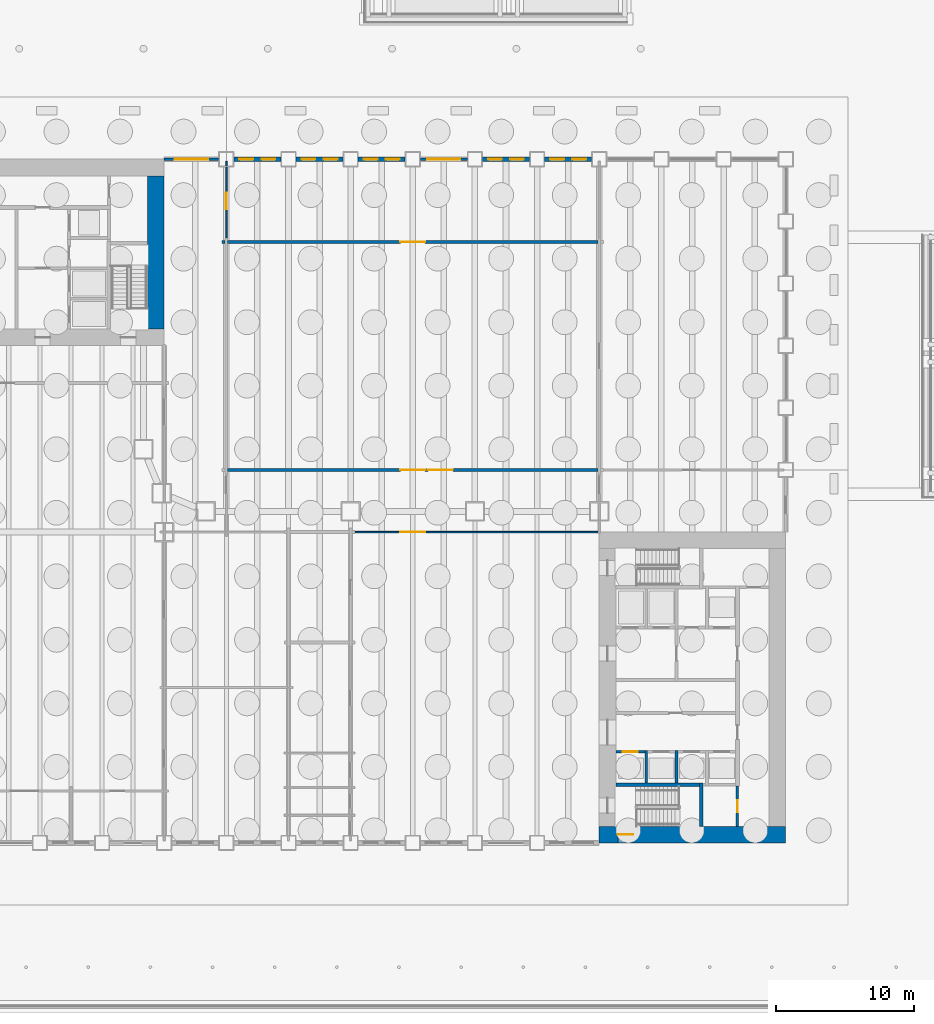
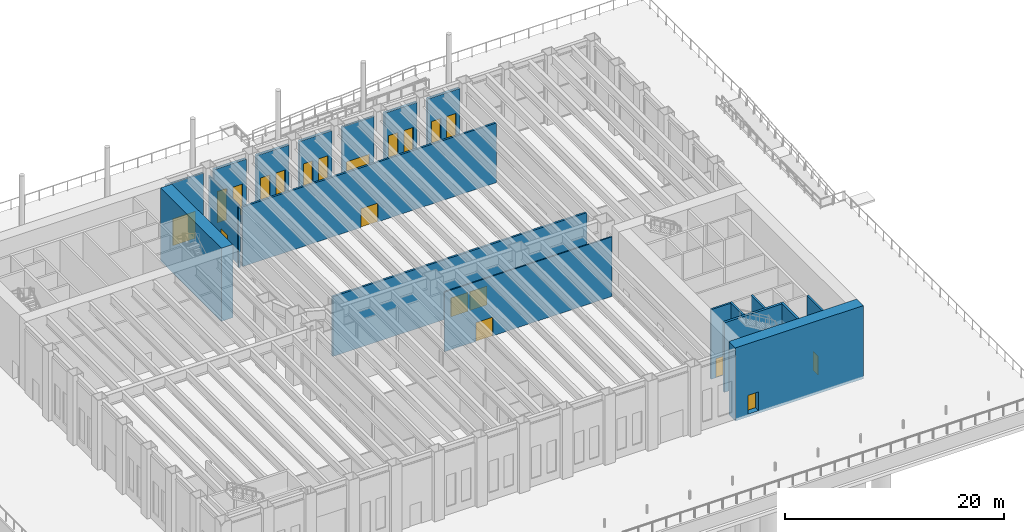
# One storey, part 12 of 26: 20 walls, 10 doors, 10 windows, 20 openings.
"""IFC4 building model written with IfcOpenShell, lengths in metres."""

from ifc_helpers import new_model, si_unit, direction, frame, frame_2d, origin, place, context, subcontext, project, spatial, rectangle, extrude, material, layer, layer_set, type_object, element, fill, save


model = new_model("IFC4")

# Units and contexts
model_context = context("Model", 3, precision=1e-05, world=origin(), true_north=direction((0.0, 1.0)))
body_context = subcontext(model_context, "Body", "Model", "MODEL_VIEW")
ifc_project = project(units=[si_unit("LENGTHUNIT", "METRE"), si_unit("AREAUNIT", "SQUARE_METRE"), si_unit("VOLUMEUNIT", "CUBIC_METRE"), si_unit("PLANEANGLEUNIT", "RADIAN"), si_unit("MASSUNIT", "GRAM", prefix="KILO")], contexts=[model_context])

# Site, building, storey
site_placement = place(None, origin())
site = spatial("IfcSite", under=ifc_project, at=site_placement, CompositionType="ELEMENT")
building_placement = place(site_placement, origin())
building = spatial("IfcBuilding", under=site, at=building_placement, Name="Sennacour Bend Tower", CompositionType="ELEMENT")
storey_placement = place(building_placement, origin())
storey = spatial("IfcBuildingStorey", under=building, at=storey_placement, Name="L00", CompositionType="ELEMENT", Elevation=0.0)

# Wall, opening, door
ifc_material_1 = material(Name="Bronze anodised aluminium panel", Category="aluminium")
ifc_layer_1 = layer(ifc_material_1, 0.030029296875, Name="Bronze anodised aluminium panel", Category="aluminium")
ifc_material_2 = material(Name="Precast concrete C40/50", Category="concrete")
ifc_layer_2 = layer(ifc_material_2, 0.169921875, Name="Precast concrete C40/50", Category="concrete")
ifc_layer_set_1 = layer_set([ifc_layer_1, ifc_layer_2], Name="Precast concrete C40/50 with bronze aluminium panel")
wall_type_1 = type_object("IfcWallType", Name="ALUMINIUM-CLAD INFILL WALL 200", PredefinedType="STANDARD", material=ifc_layer_set_1)
wall_1_placement = place(storey_placement, frame((41.050048828125, 49.5, 0.0), z_axis=(0.0, 0.0, 1.0), x_axis=(1.0, 0.0, 0.0)))
wall_1 = element("IfcWall", 1, at=wall_1_placement, inside=storey, type_object=wall_type_1, Name="Infill wall L00 01.05", PredefinedType="STANDARD", context=body_context, shape_type="SweptSolid", body=[
    extrude(rectangle(XDim=3.39990234375, YDim=0.199951171875, at=frame_2d((1.699951171875, 0.0))), origin(), (0.0, 0.0, 1.0), 7.035888671875),
])
opening_1_placement = place(wall_1_placement, frame((0.5, 0.0, 0.0)))
opening_1 = element("IfcOpeningElement", 2, at=opening_1_placement, cuts=wall_1, Name="Opening ED1", PredefinedType="OPENING", context=body_context, shape_type="SweptSolid", body=[
    extrude(rectangle(XDim=2.39990234375, YDim=3.0, at=frame_2d((1.199951171875, 1.5))), frame((0.0, 0.10986328125, 0.0), z_axis=(0.0, -1.0, 0.0), x_axis=(1.0, 0.0, 0.0)), (0.0, 0.0, 1.0), 0.219970703125),
])
ifc_material_3 = material(Name="Aluminium framed glazed door", Category="aluminium")
door_type_1 = type_object("IfcDoorType", Name="DR-ENTRANCE-2400x3000", OperationType="DOUBLE_DOOR_SINGLE_SWING", PredefinedType="DOOR", material=ifc_material_3)
door_1_placement = place(opening_1_placement, origin())
door_1 = element("IfcDoor", 3, at=door_1_placement, inside=storey, type_object=door_type_1, Name="Exterior door L00 01.05", OperationType="DOUBLE_DOOR_SINGLE_SWING", OverallHeight=3.0, OverallWidth=2.39990234375, PredefinedType="DOOR", context=body_context, shape_type="SweptSolid", body=[
    extrude(rectangle(XDim=2.39990234375, YDim=3.0, at=frame_2d((1.199951171875, 1.5))), frame((0.0, 0.02490234375, 0.0), z_axis=(0.0, -1.0, 0.0), x_axis=(1.0, 0.0, 0.0)), (0.0, 0.0, 1.0), 0.050048828125),
])
fill(opening_1, door_1)

wall_2_placement = place(storey_placement, frame((22.5009765625, 49.5, 0.0), z_axis=(0.0, 0.0, 1.0), x_axis=(1.0, 0.0, 0.0)))
wall_2 = element("IfcWall", 4, at=wall_2_placement, inside=storey, type_object=wall_type_1, Name="Infill wall L00 01.09", PredefinedType="STANDARD", context=body_context, shape_type="SweptSolid", body=[
    extrude(rectangle(XDim=3.948974609375, YDim=0.199951171875, at=frame_2d((1.974609375, 0.0))), origin(), (0.0, 0.0, 1.0), 7.035888671875),
])
opening_2_placement = place(wall_2_placement, frame((0.7744140625, 0.0, 0.0)))
opening_2 = element("IfcOpeningElement", 5, at=opening_2_placement, cuts=wall_2, Name="Opening ED1", PredefinedType="OPENING", context=body_context, shape_type="SweptSolid", body=[
    extrude(rectangle(XDim=2.39990234375, YDim=3.0, at=frame_2d((1.199951171875, 1.5))), frame((0.0, 0.10986328125, 0.0), z_axis=(0.0, -1.0, 0.0), x_axis=(1.0, 0.0, 0.0)), (0.0, 0.0, 1.0), 0.219970703125),
])
door_2_placement = place(opening_2_placement, origin())
door_2 = element("IfcDoor", 6, at=door_2_placement, inside=storey, type_object=door_type_1, Name="Exterior door L00 01.09", OperationType="DOUBLE_DOOR_SINGLE_SWING", OverallHeight=3.0, OverallWidth=2.39990234375, PredefinedType="DOOR", context=body_context, shape_type="SweptSolid", body=[
    extrude(rectangle(XDim=2.39990234375, YDim=3.0, at=frame_2d((1.199951171875, 1.5))), frame((0.0, 0.02490234375, 0.0), z_axis=(0.0, -1.0, 0.0), x_axis=(1.0, 0.0, 0.0)), (0.0, 0.0, 1.0), 0.050048828125),
])
fill(opening_2, door_2)

ifc_material_4 = material(Name="Concrete C80/95", Category="concrete")
ifc_layer_3 = layer(ifc_material_4, 1.199951171875, Name="Concrete C80/95", Category="concrete")
ifc_layer_set_2 = layer_set([ifc_layer_3], Name="Concrete C80/95")
wall_type_2 = type_object("IfcWallType", Name="Core wall 1200 C80/95", PredefinedType="SHEAR", material=ifc_layer_set_2)
wall_3_placement = place(storey_placement, frame((67.5, 0.60009765625, -0.300048828125), z_axis=(0.0, 0.0, 1.0), x_axis=(-1.0, 0.0, 0.0)))
wall_3 = element("IfcWall", 7, at=wall_3_placement, inside=storey, type_object=wall_type_2, Name="Core A wall L00 S", PredefinedType="SHEAR", context=body_context, shape_type="SweptSolid", body=[
    extrude(rectangle(XDim=13.5, YDim=1.199951171875, at=frame_2d((6.75, 0.0))), origin(), (0.0, 0.0, 1.0), 8.150146484375),
])
opening_3_placement = place(wall_3_placement, frame((11.050048828125, 0.0, 0.300048828125)))
opening_3 = element("IfcOpeningElement", 8, at=opening_3_placement, cuts=wall_3, Name="Opening XD", PredefinedType="OPENING", context=body_context, shape_type="SweptSolid", body=[
    extrude(rectangle(XDim=1.10009765625, YDim=2.10009765625, at=frame_2d((0.550048828125, 1.050048828125))), frame((0.0, 0.60986328125, 0.0), z_axis=(0.0, -1.0, 0.0), x_axis=(1.0, 0.0, 0.0)), (0.0, 0.0, 1.0), 1.219970703125),
])
ifc_material_5 = material(Name="Painted steel", Category="steel")
door_type_2 = type_object("IfcDoorType", Name="DR-DISCHARGE-1100", OperationType="NOTDEFINED", PredefinedType="DOOR", material=ifc_material_5)
door_3_placement = place(opening_3_placement, origin())
door_3 = element("IfcDoor", 9, at=door_3_placement, inside=storey, type_object=door_type_2, Name="Door", OperationType="SINGLE_SWING_RIGHT", OverallHeight=2.10009765625, OverallWidth=1.10009765625, PredefinedType="DOOR", context=body_context, shape_type="SweptSolid", body=[
    extrude(rectangle(XDim=1.10009765625, YDim=2.10009765625, at=frame_2d((0.550048828125, 1.050048828125))), frame((0.0, 0.02490234375, 0.0), z_axis=(0.0, -1.0, 0.0), x_axis=(1.0, 0.0, 0.0)), (0.0, 0.0, 1.0), 0.050048828125),
])
fill(opening_3, door_3)

# Wall
wall_4_placement = place(storey_placement, frame((21.89990234375, 37.199951171875, -0.300048828125), z_axis=(0.0, 0.0, 1.0), x_axis=(0.0, 1.0, 0.0)))
element("IfcWall", 10, at=wall_4_placement, inside=storey, type_object=wall_type_2, Name="Core B wall L00 E", PredefinedType="SHEAR", context=body_context, shape_type="SweptSolid", body=[
    extrude(rectangle(XDim=11.10009765625, YDim=1.199951171875, at=frame_2d((5.550048828125, 0.0))), origin(), (0.0, 0.0, 1.0), 8.150146484375),
])

# Wall, opening, door
ifc_material_6 = material(Name="Plasterboard partition on steel studs", Category="steel")
ifc_layer_4 = layer(ifc_material_6, 0.1201171875, Name="Plasterboard partition on steel studs", Category="steel")
ifc_layer_set_3 = layer_set([ifc_layer_4], Name="Plasterboard partition on steel studs")
wall_type_3 = type_object("IfcWallType", Name="Partition 120 EI 60", PredefinedType="PARTITIONING", material=ifc_layer_set_3)
wall_5_placement = place(storey_placement, frame((27.0, 43.800048828125, 0.0), z_axis=(0.0, 0.0, 1.0), x_axis=(0.0, 1.0, 0.0)))
wall_5 = element("IfcWall", 11, at=wall_5_placement, inside=storey, type_object=wall_type_3, Name="P-L00-W026a", PredefinedType="PARTITIONING", context=body_context, shape_type="SweptSolid", body=[
    extrude(rectangle(XDim=5.550048828125, YDim=0.1201171875, at=frame_2d((2.77490234375, 0.0))), origin(), (0.0, 0.0, 1.0), 6.66015625),
])
opening_4_placement = place(wall_5_placement, frame((2.06494140625, 0.0, 0.0)))
opening_4 = element("IfcOpeningElement", 12, at=opening_4_placement, cuts=wall_5, Name="Opening CD3", PredefinedType="OPENING", context=body_context, shape_type="SweptSolid", body=[
    extrude(rectangle(XDim=1.199951171875, YDim=2.10009765625, at=frame_2d((0.60009765625, 1.050048828125))), frame((0.0, 0.070068359375, 0.0), z_axis=(0.0, -1.0, 0.0), x_axis=(1.0, 0.0, 0.0)), (0.0, 0.0, 1.0), 0.14013671875),
])
door_type_3 = type_object("IfcDoorType", Name="DR-LOBBY-1200", OperationType="NOTDEFINED", PredefinedType="DOOR", material=ifc_material_5)
door_4_placement = place(opening_4_placement, origin())
door_4 = element("IfcDoor", 13, at=door_4_placement, inside=storey, type_object=door_type_3, Name="Door", OperationType="SINGLE_SWING_LEFT", OverallHeight=2.10009765625, OverallWidth=1.199951171875, PredefinedType="DOOR", context=body_context, shape_type="SweptSolid", body=[
    extrude(rectangle(XDim=1.199951171875, YDim=2.10009765625, at=frame_2d((0.60009765625, 1.050048828125))), frame((0.0, 0.02490234375, 0.0), z_axis=(0.0, -1.0, 0.0), x_axis=(1.0, 0.0, 0.0)), (0.0, 0.0, 1.0), 0.050048828125),
])
fill(opening_4, door_4)

wall_6_placement = place(storey_placement, frame((36.300048828125, 22.5, 0.0), z_axis=(0.0, 0.0, 1.0), x_axis=(1.0, 0.0, 0.0)))
wall_6 = element("IfcWall", 14, at=wall_6_placement, inside=storey, type_object=wall_type_3, Name="P-L00-W071aa", PredefinedType="PARTITIONING", context=body_context, shape_type="SweptSolid", body=[
    extrude(rectangle(XDim=17.639892578125, YDim=0.1201171875, at=frame_2d((8.81982421875, 0.0))), origin(), (0.0, 0.0, 1.0), 6.66015625),
])
opening_5_placement = place(wall_6_placement, frame((3.300048828125, 0.0, 0.0)))
opening_5 = element("IfcOpeningElement", 15, at=opening_5_placement, cuts=wall_6, Name="Opening CD", PredefinedType="OPENING", context=body_context, shape_type="SweptSolid", body=[
    extrude(rectangle(XDim=1.800048828125, YDim=2.10009765625, at=frame_2d((0.89990234375, 1.050048828125))), frame((0.0, 0.070068359375, 0.0), z_axis=(0.0, -1.0, 0.0), x_axis=(1.0, 0.0, 0.0)), (0.0, 0.0, 1.0), 0.14013671875),
])
door_type_4 = type_object("IfcDoorType", Name="DR-LOBBY-1800", OperationType="NOTDEFINED", PredefinedType="DOOR", material=ifc_material_5)
door_5_placement = place(opening_5_placement, origin())
door_5 = element("IfcDoor", 16, at=door_5_placement, inside=storey, type_object=door_type_4, Name="Door", OperationType="DOUBLE_DOOR_SINGLE_SWING", OverallHeight=2.10009765625, OverallWidth=1.800048828125, PredefinedType="DOOR", context=body_context, shape_type="SweptSolid", body=[
    extrude(rectangle(XDim=1.800048828125, YDim=2.10009765625, at=frame_2d((0.89990234375, 1.050048828125))), frame((0.0, 0.02490234375, 0.0), z_axis=(0.0, -1.0, 0.0), x_axis=(1.0, 0.0, 0.0)), (0.0, 0.0, 1.0), 0.050048828125),
])
fill(opening_5, door_5)

ifc_material_7 = material(Name="Fire-rated plasterboard partition on steel studs", Category="steel")
ifc_layer_5 = layer(ifc_material_7, 0.199951171875, Name="Fire-rated plasterboard partition on steel studs", Category="steel")
ifc_layer_set_4 = layer_set([ifc_layer_5], Name="Fire-rated plasterboard partition on steel studs")
wall_type_4 = type_object("IfcWallType", Name="Rated partition 200", PredefinedType="PARTITIONING", material=ifc_layer_set_4)
wall_7_placement = place(storey_placement, frame((64.0, 1.199951171875, 0.0), z_axis=(0.0, 0.0, 1.0), x_axis=(0.0, 1.0, 0.0)))
wall_7 = element("IfcWall", 17, at=wall_7_placement, inside=storey, type_object=wall_type_4, Name="P-L00-W043", PredefinedType="PARTITIONING", context=body_context, shape_type="SweptSolid", body=[
    extrude(rectangle(XDim=2.900146484375, YDim=0.199951171875, at=frame_2d((1.4501953125, 0.0))), origin(), (0.0, 0.0, 1.0), 7.75),
])
opening_6_placement = place(wall_7_placement, frame((1.0, 0.0, 0.0)))
opening_6 = element("IfcOpeningElement", 18, at=opening_6_placement, cuts=wall_7, Name="Opening SV", PredefinedType="OPENING", context=body_context, shape_type="SweptSolid", body=[
    extrude(rectangle(XDim=0.89990234375, YDim=2.10009765625, at=frame_2d((0.449951171875, 1.050048828125))), frame((0.0, 0.10986328125, 0.0), z_axis=(0.0, -1.0, 0.0), x_axis=(1.0, 0.0, 0.0)), (0.0, 0.0, 1.0), 0.219970703125),
])
door_type_5 = type_object("IfcDoorType", Name="DR-SERVICE-900", OperationType="NOTDEFINED", PredefinedType="DOOR", material=ifc_material_5)
door_6_placement = place(opening_6_placement, origin())
door_6 = element("IfcDoor", 19, at=door_6_placement, inside=storey, type_object=door_type_5, Name="Door", OperationType="SINGLE_SWING_LEFT", OverallHeight=2.10009765625, OverallWidth=0.89990234375, PredefinedType="DOOR", context=body_context, shape_type="SweptSolid", body=[
    extrude(rectangle(XDim=0.89990234375, YDim=2.10009765625, at=frame_2d((0.449951171875, 1.050048828125))), frame((0.0, 0.02490234375, 0.0), z_axis=(0.0, -1.0, 0.0), x_axis=(1.0, 0.0, 0.0)), (0.0, 0.0, 1.0), 0.050048828125),
])
fill(opening_6, door_6)

# Wall, openings, doors
wall_8_placement = place(storey_placement, frame((27.10009765625, 27.0, 0.0), z_axis=(0.0, 0.0, 1.0), x_axis=(1.0, 0.0, 0.0)))
wall_8 = element("IfcWall", 20, at=wall_8_placement, inside=storey, type_object=wall_type_4, Name="P-L00-W072ab", PredefinedType="PARTITIONING", context=body_context, shape_type="SweptSolid", body=[
    extrude(rectangle(XDim=26.7998046875, YDim=0.199951171875, at=frame_2d((13.39990234375, 0.0))), origin(), (0.0, 0.0, 1.0), 6.66015625),
])
opening_7_placement = place(wall_8_placement, frame((12.5, 0.0, 0.0)))
opening_7 = element("IfcOpeningElement", 21, at=opening_7_placement, cuts=wall_8, Name="Opening CD", PredefinedType="OPENING", context=body_context, shape_type="SweptSolid", body=[
    extrude(rectangle(XDim=1.800048828125, YDim=2.10009765625, at=frame_2d((0.89990234375, 1.050048828125))), frame((0.0, 0.10986328125, 0.0), z_axis=(0.0, -1.0, 0.0), x_axis=(1.0, 0.0, 0.0)), (0.0, 0.0, 1.0), 0.219970703125),
])
opening_8_placement = place(wall_8_placement, frame((14.5, 0.0, 0.0)))
opening_8 = element("IfcOpeningElement", 22, at=opening_8_placement, cuts=wall_8, Name="Opening CD", PredefinedType="OPENING", context=body_context, shape_type="SweptSolid", body=[
    extrude(rectangle(XDim=1.800048828125, YDim=2.10009765625, at=frame_2d((0.89990234375, 1.050048828125))), frame((0.0, 0.10986328125, 0.0), z_axis=(0.0, -1.0, 0.0), x_axis=(1.0, 0.0, 0.0)), (0.0, 0.0, 1.0), 0.219970703125),
])
door_7_placement = place(opening_7_placement, origin())
door_7 = element("IfcDoor", 23, at=door_7_placement, inside=storey, type_object=door_type_4, Name="Door", OperationType="DOUBLE_DOOR_SINGLE_SWING", OverallHeight=2.10009765625, OverallWidth=1.800048828125, PredefinedType="DOOR", context=body_context, shape_type="SweptSolid", body=[
    extrude(rectangle(XDim=1.800048828125, YDim=2.10009765625, at=frame_2d((0.89990234375, 1.050048828125))), frame((0.0, 0.02490234375, 0.0), z_axis=(0.0, -1.0, 0.0), x_axis=(1.0, 0.0, 0.0)), (0.0, 0.0, 1.0), 0.050048828125),
])
fill(opening_7, door_7)
door_8_placement = place(opening_8_placement, origin())
door_8 = element("IfcDoor", 24, at=door_8_placement, inside=storey, type_object=door_type_4, Name="Door", OperationType="DOUBLE_DOOR_SINGLE_SWING", OverallHeight=2.10009765625, OverallWidth=1.800048828125, PredefinedType="DOOR", context=body_context, shape_type="SweptSolid", body=[
    extrude(rectangle(XDim=1.800048828125, YDim=2.10009765625, at=frame_2d((0.89990234375, 1.050048828125))), frame((0.0, 0.02490234375, 0.0), z_axis=(0.0, -1.0, 0.0), x_axis=(1.0, 0.0, 0.0)), (0.0, 0.0, 1.0), 0.050048828125),
])
fill(opening_8, door_8)

# Wall
wall_9_placement = place(storey_placement, frame((26.699951171875, 43.5, 0.0), z_axis=(0.0, 0.0, 1.0), x_axis=(1.0, 0.0, 0.0)))
element("IfcWall", 25, at=wall_9_placement, inside=storey, type_object=wall_type_4, Name="P-L00-W082aa", PredefinedType="PARTITIONING", context=body_context, shape_type="SweptSolid", body=[
    extrude(rectangle(XDim=0.199951171875, YDim=0.199951171875, at=frame_2d((0.10009765625, 0.0))), origin(), (0.0, 0.0, 1.0), 6.66015625),
])

# Wall, opening, door
wall_10_placement = place(storey_placement, frame((27.10009765625, 43.5, 0.0), z_axis=(0.0, 0.0, 1.0), x_axis=(1.0, 0.0, 0.0)))
wall_10 = element("IfcWall", 26, at=wall_10_placement, inside=storey, type_object=wall_type_4, Name="P-L00-W082ab", PredefinedType="PARTITIONING", context=body_context, shape_type="SweptSolid", body=[
    extrude(rectangle(XDim=26.7998046875, YDim=0.199951171875, at=frame_2d((13.39990234375, 0.0))), origin(), (0.0, 0.0, 1.0), 6.66015625),
])
opening_9_placement = place(wall_10_placement, frame((12.5, 0.0, 0.0)))
opening_9 = element("IfcOpeningElement", 27, at=opening_9_placement, cuts=wall_10, Name="Opening CD", PredefinedType="OPENING", context=body_context, shape_type="SweptSolid", body=[
    extrude(rectangle(XDim=1.800048828125, YDim=2.10009765625, at=frame_2d((0.89990234375, 1.050048828125))), frame((0.0, 0.10986328125, 0.0), z_axis=(0.0, -1.0, 0.0), x_axis=(1.0, 0.0, 0.0)), (0.0, 0.0, 1.0), 0.219970703125),
])
door_9_placement = place(opening_9_placement, origin())
door_9 = element("IfcDoor", 28, at=door_9_placement, inside=storey, type_object=door_type_4, Name="Door", OperationType="DOUBLE_DOOR_SINGLE_SWING", OverallHeight=2.10009765625, OverallWidth=1.800048828125, PredefinedType="DOOR", context=body_context, shape_type="SweptSolid", body=[
    extrude(rectangle(XDim=1.800048828125, YDim=2.10009765625, at=frame_2d((0.89990234375, 1.050048828125))), frame((0.0, 0.02490234375, 0.0), z_axis=(0.0, -1.0, 0.0), x_axis=(1.0, 0.0, 0.0)), (0.0, 0.0, 1.0), 0.050048828125),
])
fill(opening_9, door_9)

# Wall, openings, windows
ifc_material_8 = material(Name="Warm limestone cladding", Category="masonry")
ifc_layer_6 = layer(ifc_material_8, 0.050048828125, Name="Warm limestone cladding", Category="masonry")
ifc_layer_7 = layer(ifc_material_2, 0.25, Name="Precast concrete C40/50", Category="concrete")
ifc_layer_set_5 = layer_set([ifc_layer_6, ifc_layer_7], Name="Precast concrete C40/50 with limestone cladding")
wall_type_5 = type_object("IfcWallType", Name="STONE-CLAD PRECAST SPANDREL 300", PredefinedType="STANDARD", material=ifc_layer_set_5)
wall_11_placement = place(storey_placement, frame((53.449951171875, 49.5, 0.0), z_axis=(0.0, 0.0, 1.0), x_axis=(-1.0, 0.0, 0.0)))
wall_11 = element("IfcWall", 29, at=wall_11_placement, inside=storey, type_object=wall_type_5, Name="Stone spandrel and pier wall L00 01.03", PredefinedType="STANDARD", context=body_context, shape_type="SweptSolid", body=[
    extrude(rectangle(XDim=3.39990234375, YDim=0.300048828125, at=frame_2d((1.699951171875, 0.0))), origin(), (0.0, 0.0, 1.0), 7.035888671875),
])
opening_10_placement = place(wall_11_placement, frame((0.39990234375, 0.0, 0.89990234375)))
opening_10 = element("IfcOpeningElement", 30, at=opening_10_placement, cuts=wall_11, Name="Opening W1", PredefinedType="OPENING", context=body_context, shape_type="SweptSolid", body=[
    extrude(rectangle(XDim=1.0, YDim=3.5, at=frame_2d((0.5, 1.75))), frame((0.0, 0.16015625, 0.0), z_axis=(0.0, -1.0, 0.0), x_axis=(1.0, 0.0, 0.0)), (0.0, 0.0, 1.0), 0.320068359375),
])
opening_11_placement = place(wall_11_placement, frame((2.0, 0.0, 0.89990234375)))
opening_11 = element("IfcOpeningElement", 31, at=opening_11_placement, cuts=wall_11, Name="Opening W1", PredefinedType="OPENING", context=body_context, shape_type="SweptSolid", body=[
    extrude(rectangle(XDim=1.0, YDim=3.5, at=frame_2d((0.5, 1.75))), frame((0.0, 0.16015625, 0.0), z_axis=(0.0, -1.0, 0.0), x_axis=(1.0, 0.0, 0.0)), (0.0, 0.0, 1.0), 0.320068359375),
])
ifc_material_9 = material(Name="Clear low-emissivity glass", Category="glass")
window_type = type_object("IfcWindowType", Name="WIN-RIBBON-1000x3500", PartitioningType="SINGLE_PANEL", PredefinedType="WINDOW", material=ifc_material_9)
window_1_placement = place(opening_10_placement, origin())
window_1 = element("IfcWindow", 32, at=window_1_placement, inside=storey, type_object=window_type, Name="Ribbon window L00 01.03.0", OverallHeight=3.5, OverallWidth=1.0, PartitioningType="SINGLE_PANEL", PredefinedType="WINDOW", context=body_context, shape_type="SweptSolid", body=[
    extrude(rectangle(XDim=1.0, YDim=3.5, at=frame_2d((0.5, 1.75))), frame((0.0, 0.030029296875, 0.0), z_axis=(0.0, -1.0, 0.0), x_axis=(1.0, 0.0, 0.0)), (0.0, 0.0, 1.0), 0.06005859375),
])
fill(opening_10, window_1)
window_2_placement = place(opening_11_placement, origin())
window_2 = element("IfcWindow", 33, at=window_2_placement, inside=storey, type_object=window_type, Name="Ribbon window L00 01.03.1", OverallHeight=3.5, OverallWidth=1.0, PartitioningType="SINGLE_PANEL", PredefinedType="WINDOW", context=body_context, shape_type="SweptSolid", body=[
    extrude(rectangle(XDim=1.0, YDim=3.5, at=frame_2d((0.5, 1.75))), frame((0.0, 0.030029296875, 0.0), z_axis=(0.0, -1.0, 0.0), x_axis=(1.0, 0.0, 0.0)), (0.0, 0.0, 1.0), 0.06005859375),
])
fill(opening_11, window_2)

wall_12_placement = place(storey_placement, frame((48.949951171875, 49.5, 0.0), z_axis=(0.0, 0.0, 1.0), x_axis=(-1.0, 0.0, 0.0)))
wall_12 = element("IfcWall", 34, at=wall_12_placement, inside=storey, type_object=wall_type_5, Name="Stone spandrel and pier wall L00 01.04", PredefinedType="STANDARD", context=body_context, shape_type="SweptSolid", body=[
    extrude(rectangle(XDim=3.39990234375, YDim=0.300048828125, at=frame_2d((1.699951171875, 0.0))), origin(), (0.0, 0.0, 1.0), 7.035888671875),
])
opening_12_placement = place(wall_12_placement, frame((0.39990234375, 0.0, 0.89990234375)))
opening_12 = element("IfcOpeningElement", 35, at=opening_12_placement, cuts=wall_12, Name="Opening W1", PredefinedType="OPENING", context=body_context, shape_type="SweptSolid", body=[
    extrude(rectangle(XDim=1.0, YDim=3.5, at=frame_2d((0.5, 1.75))), frame((0.0, 0.16015625, 0.0), z_axis=(0.0, -1.0, 0.0), x_axis=(1.0, 0.0, 0.0)), (0.0, 0.0, 1.0), 0.320068359375),
])
opening_13_placement = place(wall_12_placement, frame((2.0, 0.0, 0.89990234375)))
opening_13 = element("IfcOpeningElement", 36, at=opening_13_placement, cuts=wall_12, Name="Opening W1", PredefinedType="OPENING", context=body_context, shape_type="SweptSolid", body=[
    extrude(rectangle(XDim=1.0, YDim=3.5, at=frame_2d((0.5, 1.75))), frame((0.0, 0.16015625, 0.0), z_axis=(0.0, -1.0, 0.0), x_axis=(1.0, 0.0, 0.0)), (0.0, 0.0, 1.0), 0.320068359375),
])
window_3_placement = place(opening_12_placement, origin())
window_3 = element("IfcWindow", 37, at=window_3_placement, inside=storey, type_object=window_type, Name="Ribbon window L00 01.04.0", OverallHeight=3.5, OverallWidth=1.0, PartitioningType="SINGLE_PANEL", PredefinedType="WINDOW", context=body_context, shape_type="SweptSolid", body=[
    extrude(rectangle(XDim=1.0, YDim=3.5, at=frame_2d((0.5, 1.75))), frame((0.0, 0.030029296875, 0.0), z_axis=(0.0, -1.0, 0.0), x_axis=(1.0, 0.0, 0.0)), (0.0, 0.0, 1.0), 0.06005859375),
])
fill(opening_12, window_3)
window_4_placement = place(opening_13_placement, origin())
window_4 = element("IfcWindow", 38, at=window_4_placement, inside=storey, type_object=window_type, Name="Ribbon window L00 01.04.1", OverallHeight=3.5, OverallWidth=1.0, PartitioningType="SINGLE_PANEL", PredefinedType="WINDOW", context=body_context, shape_type="SweptSolid", body=[
    extrude(rectangle(XDim=1.0, YDim=3.5, at=frame_2d((0.5, 1.75))), frame((0.0, 0.030029296875, 0.0), z_axis=(0.0, -1.0, 0.0), x_axis=(1.0, 0.0, 0.0)), (0.0, 0.0, 1.0), 0.06005859375),
])
fill(opening_13, window_4)

wall_13_placement = place(storey_placement, frame((39.949951171875, 49.5, 0.0), z_axis=(0.0, 0.0, 1.0), x_axis=(-1.0, 0.0, 0.0)))
wall_13 = element("IfcWall", 39, at=wall_13_placement, inside=storey, type_object=wall_type_5, Name="Stone spandrel and pier wall L00 01.06", PredefinedType="STANDARD", context=body_context, shape_type="SweptSolid", body=[
    extrude(rectangle(XDim=3.39990234375, YDim=0.300048828125, at=frame_2d((1.699951171875, 0.0))), origin(), (0.0, 0.0, 1.0), 7.035888671875),
])
opening_14_placement = place(wall_13_placement, frame((0.39990234375, 0.0, 0.89990234375)))
opening_14 = element("IfcOpeningElement", 40, at=opening_14_placement, cuts=wall_13, Name="Opening W1", PredefinedType="OPENING", context=body_context, shape_type="SweptSolid", body=[
    extrude(rectangle(XDim=1.0, YDim=3.5, at=frame_2d((0.5, 1.75))), frame((0.0, 0.16015625, 0.0), z_axis=(0.0, -1.0, 0.0), x_axis=(1.0, 0.0, 0.0)), (0.0, 0.0, 1.0), 0.320068359375),
])
opening_15_placement = place(wall_13_placement, frame((2.0, 0.0, 0.89990234375)))
opening_15 = element("IfcOpeningElement", 41, at=opening_15_placement, cuts=wall_13, Name="Opening W1", PredefinedType="OPENING", context=body_context, shape_type="SweptSolid", body=[
    extrude(rectangle(XDim=1.0, YDim=3.5, at=frame_2d((0.5, 1.75))), frame((0.0, 0.16015625, 0.0), z_axis=(0.0, -1.0, 0.0), x_axis=(1.0, 0.0, 0.0)), (0.0, 0.0, 1.0), 0.320068359375),
])
window_5_placement = place(opening_14_placement, origin())
window_5 = element("IfcWindow", 42, at=window_5_placement, inside=storey, type_object=window_type, Name="Ribbon window L00 01.06.0", OverallHeight=3.5, OverallWidth=1.0, PartitioningType="SINGLE_PANEL", PredefinedType="WINDOW", context=body_context, shape_type="SweptSolid", body=[
    extrude(rectangle(XDim=1.0, YDim=3.5, at=frame_2d((0.5, 1.75))), frame((0.0, 0.030029296875, 0.0), z_axis=(0.0, -1.0, 0.0), x_axis=(1.0, 0.0, 0.0)), (0.0, 0.0, 1.0), 0.06005859375),
])
fill(opening_14, window_5)
window_6_placement = place(opening_15_placement, origin())
window_6 = element("IfcWindow", 43, at=window_6_placement, inside=storey, type_object=window_type, Name="Ribbon window L00 01.06.1", OverallHeight=3.5, OverallWidth=1.0, PartitioningType="SINGLE_PANEL", PredefinedType="WINDOW", context=body_context, shape_type="SweptSolid", body=[
    extrude(rectangle(XDim=1.0, YDim=3.5, at=frame_2d((0.5, 1.75))), frame((0.0, 0.030029296875, 0.0), z_axis=(0.0, -1.0, 0.0), x_axis=(1.0, 0.0, 0.0)), (0.0, 0.0, 1.0), 0.06005859375),
])
fill(opening_15, window_6)

wall_14_placement = place(storey_placement, frame((35.449951171875, 49.5, 0.0), z_axis=(0.0, 0.0, 1.0), x_axis=(-1.0, 0.0, 0.0)))
wall_14 = element("IfcWall", 44, at=wall_14_placement, inside=storey, type_object=wall_type_5, Name="Stone spandrel and pier wall L00 01.07", PredefinedType="STANDARD", context=body_context, shape_type="SweptSolid", body=[
    extrude(rectangle(XDim=3.39990234375, YDim=0.300048828125, at=frame_2d((1.699951171875, 0.0))), origin(), (0.0, 0.0, 1.0), 7.035888671875),
])
opening_16_placement = place(wall_14_placement, frame((0.39990234375, 0.0, 0.89990234375)))
opening_16 = element("IfcOpeningElement", 45, at=opening_16_placement, cuts=wall_14, Name="Opening W1", PredefinedType="OPENING", context=body_context, shape_type="SweptSolid", body=[
    extrude(rectangle(XDim=1.0, YDim=3.5, at=frame_2d((0.5, 1.75))), frame((0.0, 0.16015625, 0.0), z_axis=(0.0, -1.0, 0.0), x_axis=(1.0, 0.0, 0.0)), (0.0, 0.0, 1.0), 0.320068359375),
])
opening_17_placement = place(wall_14_placement, frame((2.0, 0.0, 0.89990234375)))
opening_17 = element("IfcOpeningElement", 46, at=opening_17_placement, cuts=wall_14, Name="Opening W1", PredefinedType="OPENING", context=body_context, shape_type="SweptSolid", body=[
    extrude(rectangle(XDim=1.0, YDim=3.5, at=frame_2d((0.5, 1.75))), frame((0.0, 0.16015625, 0.0), z_axis=(0.0, -1.0, 0.0), x_axis=(1.0, 0.0, 0.0)), (0.0, 0.0, 1.0), 0.320068359375),
])
window_7_placement = place(opening_16_placement, origin())
window_7 = element("IfcWindow", 47, at=window_7_placement, inside=storey, type_object=window_type, Name="Ribbon window L00 01.07.0", OverallHeight=3.5, OverallWidth=1.0, PartitioningType="SINGLE_PANEL", PredefinedType="WINDOW", context=body_context, shape_type="SweptSolid", body=[
    extrude(rectangle(XDim=1.0, YDim=3.5, at=frame_2d((0.5, 1.75))), frame((0.0, 0.030029296875, 0.0), z_axis=(0.0, -1.0, 0.0), x_axis=(1.0, 0.0, 0.0)), (0.0, 0.0, 1.0), 0.06005859375),
])
fill(opening_16, window_7)
window_8_placement = place(opening_17_placement, origin())
window_8 = element("IfcWindow", 48, at=window_8_placement, inside=storey, type_object=window_type, Name="Ribbon window L00 01.07.1", OverallHeight=3.5, OverallWidth=1.0, PartitioningType="SINGLE_PANEL", PredefinedType="WINDOW", context=body_context, shape_type="SweptSolid", body=[
    extrude(rectangle(XDim=1.0, YDim=3.5, at=frame_2d((0.5, 1.75))), frame((0.0, 0.030029296875, 0.0), z_axis=(0.0, -1.0, 0.0), x_axis=(1.0, 0.0, 0.0)), (0.0, 0.0, 1.0), 0.06005859375),
])
fill(opening_17, window_8)

wall_15_placement = place(storey_placement, frame((30.949951171875, 49.5, 0.0), z_axis=(0.0, 0.0, 1.0), x_axis=(-1.0, 0.0, 0.0)))
wall_15 = element("IfcWall", 49, at=wall_15_placement, inside=storey, type_object=wall_type_5, Name="Stone spandrel and pier wall L00 01.08", PredefinedType="STANDARD", context=body_context, shape_type="SweptSolid", body=[
    extrude(rectangle(XDim=3.39990234375, YDim=0.300048828125, at=frame_2d((1.699951171875, 0.0))), origin(), (0.0, 0.0, 1.0), 7.035888671875),
])
opening_18_placement = place(wall_15_placement, frame((0.39990234375, 0.0, 0.89990234375)))
opening_18 = element("IfcOpeningElement", 50, at=opening_18_placement, cuts=wall_15, Name="Opening W1", PredefinedType="OPENING", context=body_context, shape_type="SweptSolid", body=[
    extrude(rectangle(XDim=1.0, YDim=3.5, at=frame_2d((0.5, 1.75))), frame((0.0, 0.16015625, 0.0), z_axis=(0.0, -1.0, 0.0), x_axis=(1.0, 0.0, 0.0)), (0.0, 0.0, 1.0), 0.320068359375),
])
opening_19_placement = place(wall_15_placement, frame((2.0, 0.0, 0.89990234375)))
opening_19 = element("IfcOpeningElement", 51, at=opening_19_placement, cuts=wall_15, Name="Opening W1", PredefinedType="OPENING", context=body_context, shape_type="SweptSolid", body=[
    extrude(rectangle(XDim=1.0, YDim=3.5, at=frame_2d((0.5, 1.75))), frame((0.0, 0.16015625, 0.0), z_axis=(0.0, -1.0, 0.0), x_axis=(1.0, 0.0, 0.0)), (0.0, 0.0, 1.0), 0.320068359375),
])
window_9_placement = place(opening_18_placement, origin())
window_9 = element("IfcWindow", 52, at=window_9_placement, inside=storey, type_object=window_type, Name="Ribbon window L00 01.08.0", OverallHeight=3.5, OverallWidth=1.0, PartitioningType="SINGLE_PANEL", PredefinedType="WINDOW", context=body_context, shape_type="SweptSolid", body=[
    extrude(rectangle(XDim=1.0, YDim=3.5, at=frame_2d((0.5, 1.75))), frame((0.0, 0.030029296875, 0.0), z_axis=(0.0, -1.0, 0.0), x_axis=(1.0, 0.0, 0.0)), (0.0, 0.0, 1.0), 0.06005859375),
])
fill(opening_18, window_9)
window_10_placement = place(opening_19_placement, origin())
window_10 = element("IfcWindow", 53, at=window_10_placement, inside=storey, type_object=window_type, Name="Ribbon window L00 01.08.1", OverallHeight=3.5, OverallWidth=1.0, PartitioningType="SINGLE_PANEL", PredefinedType="WINDOW", context=body_context, shape_type="SweptSolid", body=[
    extrude(rectangle(XDim=1.0, YDim=3.5, at=frame_2d((0.5, 1.75))), frame((0.0, 0.030029296875, 0.0), z_axis=(0.0, -1.0, 0.0), x_axis=(1.0, 0.0, 0.0)), (0.0, 0.0, 1.0), 0.06005859375),
])
fill(opening_19, window_10)

# Walls
ifc_material_10 = material(Name="Concrete C50/60", Category="concrete")
ifc_layer_8 = layer(ifc_material_10, 0.199951171875, Name="Concrete C50/60", Category="concrete")
ifc_layer_set_6 = layer_set([ifc_layer_8], Name="Concrete C50/60")
wall_type_6 = type_object("IfcWallType", Name="Shaft wall 200", PredefinedType="SOLIDWALL", material=ifc_layer_set_6)
for number, where, z_axis, x_axis, name in (
    (54, (57.39990234375, 4.324951171875, 0.0), (0.0, 0.0, 1.0), (0.0, 1.0, 0.0), "P-L00-W034"),
    (55, (59.60009765625, 4.324951171875, 0.0), (0.0, 0.0, 1.0), (0.0, 1.0, 0.0), "P-L00-W036"),
):
    element("IfcWall", number, at=place(storey_placement, frame(where, z_axis=z_axis, x_axis=x_axis)), inside=storey, type_object=wall_type_6, Name=name, PredefinedType="SOLIDWALL", context=body_context, shape_type="SweptSolid", body=[
        extrude(rectangle(XDim=2.375, YDim=0.199951171875, at=frame_2d((1.1875, 0.0))), origin(), (0.0, 0.0, 1.0), 7.75),
    ])

# Wall, opening, door
wall_16_placement = place(storey_placement, frame((55.199951171875, 6.60009765625, 0.0), z_axis=(0.0, 0.0, 1.0), x_axis=(1.0, 0.0, 0.0)))
wall_16 = element("IfcWall", 56, at=wall_16_placement, inside=storey, type_object=wall_type_6, Name="P-L00-W056a", PredefinedType="SOLIDWALL", context=body_context, shape_type="SweptSolid", body=[
    extrude(rectangle(XDim=2.10009765625, YDim=0.199951171875, at=frame_2d((1.050048828125, 0.0))), origin(), (0.0, 0.0, 1.0), 7.75),
])
opening_20_placement = place(wall_16_placement, frame((0.5, 0.0, 0.011962890625)))
opening_20 = element("IfcOpeningElement", 57, at=opening_20_placement, cuts=wall_16, Name="Opening LD", PredefinedType="OPENING", context=body_context, shape_type="SweptSolid", body=[
    extrude(rectangle(XDim=1.10009765625, YDim=2.10009765625, at=frame_2d((0.550048828125, 1.050048828125))), frame((0.0, 0.10986328125, 0.0), z_axis=(0.0, -1.0, 0.0), x_axis=(1.0, 0.0, 0.0)), (0.0, 0.0, 1.0), 0.219970703125),
])
ifc_material_11 = material(Name="Stainless steel", Category="steel")
door_type_6 = type_object("IfcDoorType", Name="DR-LANDING-1100", OperationType="NOTDEFINED", PredefinedType="DOOR", material=ifc_material_11)
door_10_placement = place(opening_20_placement, origin())
door_10 = element("IfcDoor", 58, at=door_10_placement, inside=storey, type_object=door_type_6, Name="Lift landing door LA1", OperationType="SLIDING_TO_LEFT", OverallHeight=2.10009765625, OverallWidth=1.10009765625, PredefinedType="DOOR", context=body_context, shape_type="SweptSolid", body=[
    extrude(rectangle(XDim=1.10009765625, YDim=2.10009765625, at=frame_2d((0.550048828125, 1.050048828125))), frame((0.0, 0.02490234375, 0.0), z_axis=(0.0, -1.0, 0.0), x_axis=(1.0, 0.0, 0.0)), (0.0, 0.0, 1.0), 0.050048828125),
])
fill(opening_20, door_10)

# Walls
ifc_material_12 = material(Name="Concrete C60/75", Category="concrete")
ifc_layer_9 = layer(ifc_material_12, 0.25, Name="Concrete C60/75", Category="concrete")
ifc_layer_set_7 = layer_set([ifc_layer_9], Name="Concrete C60/75")
wall_type_7 = type_object("IfcWallType", Name="Stair wall 250", PredefinedType="SHEAR", material=ifc_layer_set_7)
wall_17_placement = place(storey_placement, frame((61.39990234375, 1.199951171875, 0.0), z_axis=(0.0, 0.0, 1.0), x_axis=(0.0, 1.0, 0.0)))
element("IfcWall", 59, at=wall_17_placement, inside=storey, type_object=wall_type_7, Name="P-L00-W039", PredefinedType="SHEAR", context=body_context, shape_type="SweptSolid", body=[
    extrude(rectangle(XDim=3.125, YDim=0.25, at=frame_2d((1.5625, 0.0))), origin(), (0.0, 0.0, 1.0), 7.75),
])
wall_18_placement = place(storey_placement, frame((55.199951171875, 4.199951171875, 0.0), z_axis=(0.0, 0.0, 1.0), x_axis=(1.0, 0.0, 0.0)))
element("IfcWall", 60, at=wall_18_placement, inside=storey, type_object=wall_type_7, Name="P-L00-W053", PredefinedType="SHEAR", context=body_context, shape_type="SweptSolid", body=[
    extrude(rectangle(XDim=6.074951171875, YDim=0.25, at=frame_2d((3.03759765625, 0.0))), origin(), (0.0, 0.0, 1.0), 7.75),
])

save(model, "model.ifc")
